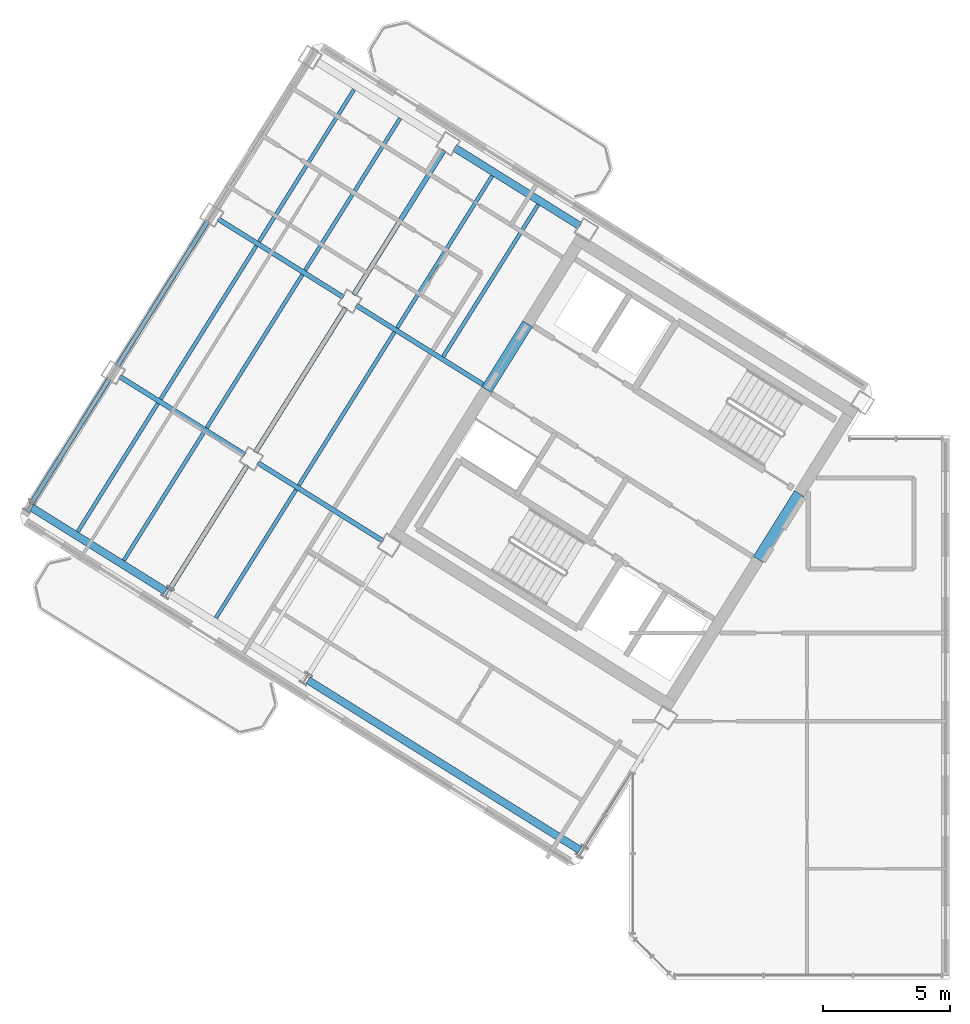
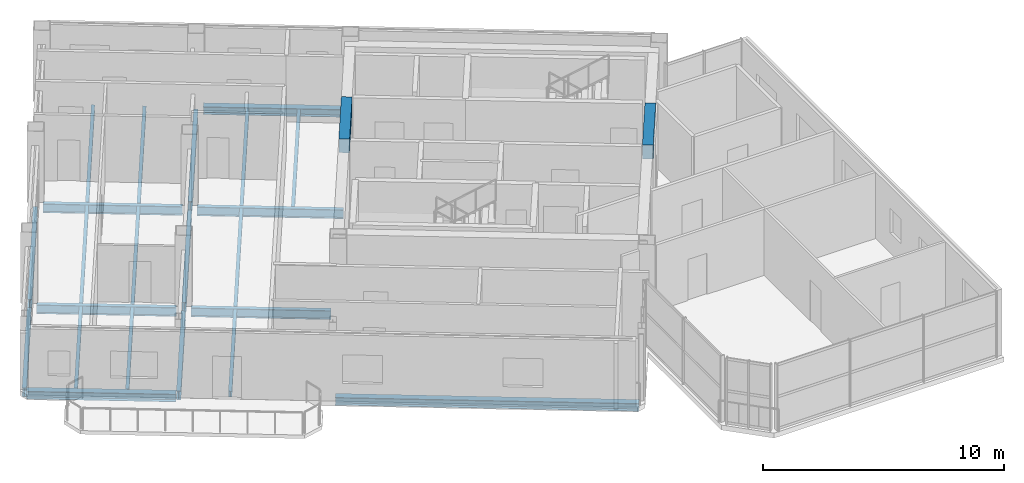
# One storey, part 3 of 14: 24 beams.
"""IFC4 building model written with IfcOpenShell, lengths in metres."""

from ifc_helpers import new_model, si_unit, direction, frame, origin, origin_2d, place, context, subcontext, project, spatial, rectangle, i_section, extrude, source, transform, mapped, material, material_profile, profile_set, type_object, element, save


model = new_model("IFC4")

# Units and contexts
model_context = context("Model", 3, precision=1e-05, world=origin(), true_north=direction((0.0, 1.0)))
body_context = subcontext(model_context, "Body", "Model", "MODEL_VIEW")
ifc_project = project(units=[si_unit("LENGTHUNIT", "METRE"), si_unit("AREAUNIT", "SQUARE_METRE"), si_unit("VOLUMEUNIT", "CUBIC_METRE"), si_unit("PLANEANGLEUNIT", "RADIAN"), si_unit("MASSUNIT", "GRAM", prefix="KILO")], contexts=[model_context])

# Site, building, storey
site_placement = place(None, origin())
site = spatial("IfcSite", under=ifc_project, at=site_placement, CompositionType="ELEMENT")
building_placement = place(site_placement, origin())
building = spatial("IfcBuilding", under=site, at=building_placement, Name="Tlacorven Tower", CompositionType="ELEMENT")
storey_placement = place(building_placement, frame((0.0, 0.0, 284.39990234375)))
storey = spatial("IfcBuildingStorey", under=building, at=storey_placement, Name="L72", CompositionType="ELEMENT", Elevation=284.39990234375)

# Beams
ifc_material_1 = material(Name="Concrete C60/75", Category="concrete")
ifc_material_profile_1 = material_profile(ifc_material_1, rectangle(XDim=0.449951171875, YDim=0.699951171875, at=origin_2d()), Name="RC 450X700")
ifc_profile_set_1 = profile_set([ifc_material_profile_1], Name="Concrete C60/75")
beam_type_1 = type_object("IfcBeamType", Name="BM-LNT-700", PredefinedType="LINTEL", material=ifc_profile_set_1)
shared_shape_1 = source(origin(), body_context, "Body", "SweptSolid", [
    extrude(rectangle(XDim=0.449951171875, YDim=0.699951171875, at=origin_2d()), origin(), (0.0, 0.0, 1.0), 3.050048828125),
])
beam_1_placement = place(storey_placement, frame((38.2998046875, 20.890625, 3.0), z_axis=(-0.529984549635, -0.848007297815, 0.0), x_axis=(0.848007297815, -0.529984549635, 0.0)))
element("IfcBeam", 1, at=beam_1_placement, inside=storey, type_object=beam_type_1, Name="L72 W core coupling lintel beam E1", PredefinedType="LINTEL", context=body_context, shape_type="MappedRepresentation", body=[
    mapped(shared_shape_1, transform((0.0, 0.0, 0.0), scale=1.0)),
])
shared_shape_2 = source(origin(), body_context, "Body", "SweptSolid", [
    extrude(rectangle(XDim=0.449951171875, YDim=0.699951171875, at=origin_2d()), origin(), (0.0, 0.0, 1.0), 3.0498046875),
])
beam_2_placement = place(storey_placement, frame((27.622802734375, 27.562255859375, 3.0), z_axis=(-0.529926983584, -0.848043272522, 0.0), x_axis=(0.848043272522, -0.529926983584, 0.0)))
element("IfcBeam", 2, at=beam_2_placement, inside=storey, type_object=beam_type_1, Name="L72 W core coupling lintel beam E2", PredefinedType="LINTEL", context=body_context, shape_type="MappedRepresentation", body=[
    mapped(shared_shape_2, transform((0.0, 0.0, 0.0), scale=1.0)),
])
ifc_material_2 = material(Name="Steel S355J2", Category="steel")
ifc_material_profile_2 = material_profile(ifc_material_2, i_section(OverallWidth=0.300048828125, OverallDepth=0.389892578125, WebThickness=0.010986328125, FlangeThickness=0.01904296875, at=origin_2d()), Name="HEA 400")
ifc_profile_set_2 = profile_set([ifc_material_profile_2], Name="Steel S355J2")
beam_type_2 = type_object("IfcBeamType", Name="BM-SPN-400", PredefinedType="SPANDREL", material=ifc_profile_set_2)
shared_shape_3 = source(origin(), body_context, "Body", "SweptSolid", [
    extrude(i_section(OverallWidth=0.300048828125, OverallDepth=0.389892578125, WebThickness=0.010986328125, FlangeThickness=0.01904296875, at=origin_2d()), origin(), (0.0, 0.0, 1.0), 12.599853515625),
])
beam_3_placement = place(storey_placement, frame((29.67578125, 6.882080078125, -0.44482421875), z_axis=(-0.848045108756, 0.529924045043, 0.0), x_axis=(-0.529924045043, -0.848045108756, 0.0)))
element("IfcBeam", 3, at=beam_3_placement, inside=storey, type_object=beam_type_2, Name="L72 beam BM-L72-WL4-1", PredefinedType="SPANDREL", context=body_context, shape_type="MappedRepresentation", body=[
    mapped(shared_shape_3, transform((0.0, 0.0, 0.0), scale=1.0)),
])
shared_shape_4 = source(origin(), body_context, "Body", "SweptSolid", [
    extrude(i_section(OverallWidth=0.300048828125, OverallDepth=0.389892578125, WebThickness=0.010986328125, FlangeThickness=0.01904296875, at=origin_2d()), origin(), (0.0, 0.0, 1.0), 6.199951171875),
])
beam_4_placement = place(storey_placement, frame((13.393310546875, 17.056396484375, -0.44482421875), z_axis=(-0.848033697614, 0.529942306022, 0.0), x_axis=(-0.529942306022, -0.848033697614, 0.0)))
element("IfcBeam", 4, at=beam_4_placement, inside=storey, type_object=beam_type_2, Name="L72 beam BM-L72-WL4-4", PredefinedType="SPANDREL", context=body_context, shape_type="MappedRepresentation", body=[
    mapped(shared_shape_4, transform((0.0, 0.0, 0.0), scale=1.0)),
])
shared_shape_5 = source(origin(), body_context, "Body", "SweptSolid", [
    extrude(i_section(OverallWidth=0.300048828125, OverallDepth=0.389892578125, WebThickness=0.010986328125, FlangeThickness=0.01904296875, at=origin_2d()), origin(), (0.0, 0.0, 1.0), 5.800048828125),
])
beam_5_placement = place(storey_placement, frame((29.673583984375, 31.410400390625, -0.44482421875), z_axis=(-0.848052689693, 0.529911912967, 0.0), x_axis=(-0.529911912967, -0.848052689693, 0.0)))
element("IfcBeam", 5, at=beam_5_placement, inside=storey, type_object=beam_type_2, Name="L72 beam BM-L72-WL1-3", PredefinedType="SPANDREL", context=body_context, shape_type="MappedRepresentation", body=[
    mapped(shared_shape_5, transform((0.0, 0.0, 0.0), scale=1.0)),
])
ifc_material_profile_3 = material_profile(ifc_material_2, i_section(OverallWidth=0.14990234375, OverallDepth=0.300048828125, WebThickness=0.007080078125, FlangeThickness=0.0107421875, at=origin_2d()), Name="IPE 300")
ifc_profile_set_3 = profile_set([ifc_material_profile_3], Name="Steel S355J2")
beam_type_3 = type_object("IfcBeamType", Name="BM-JST-300", PredefinedType="JOIST", material=ifc_profile_set_3)
shared_shape_6 = source(origin(), body_context, "Body", "SweptSolid", [
    extrude(i_section(OverallWidth=0.14990234375, OverallDepth=0.300048828125, WebThickness=0.007080078125, FlangeThickness=0.0107421875, at=origin_2d()), origin(), (0.0, 0.0, 1.0), 7.10009765625),
])
beam_6_placement = place(storey_placement, frame((22.38818359375, 27.23681640625, -0.39990234375), z_axis=(-0.529915484902, -0.848050457733, 0.0), x_axis=(0.848050457733, -0.529915484902, 0.0)))
element("IfcBeam", 6, at=beam_6_placement, inside=storey, type_object=beam_type_3, Name="L72 beam BM-L72-WJ3-2-2", PredefinedType="JOIST", context=body_context, shape_type="MappedRepresentation", body=[
    mapped(shared_shape_6, transform((0.0, 0.0, 0.0), scale=1.0)),
])
shared_shape_7 = source(origin(), body_context, "Body", "SweptSolid", [
    extrude(i_section(OverallWidth=0.14990234375, OverallDepth=0.300048828125, WebThickness=0.007080078125, FlangeThickness=0.0107421875, at=origin_2d()), origin(), (0.0, 0.0, 1.0), 7.099853515625),
])
for number, where, z_axis, x_axis, name in (
    (7, (18.769775390625, 29.497802734375, -0.39990234375), (-0.529890754507, -0.848065910344, 0.0), (0.848065910344, -0.529890754507, 0.0), "L72 beam BM-L72-WJ4-2-1"),
    (8, (16.960693359375, 30.628173828125, -0.39990234375), (-0.529930937954, -0.848040801494, 0.0), (0.848040801494, -0.529930937954, 0.0), "L72 beam BM-L72-WJ4-2-2"),
):
    element("IfcBeam", number, at=place(storey_placement, frame(where, z_axis=z_axis, x_axis=x_axis)), inside=storey, type_object=beam_type_3, Name=name, PredefinedType="JOIST", context=body_context, shape_type="MappedRepresentation", body=[
        mapped(shared_shape_7, transform((0.0, 0.0, 0.0), scale=1.0)),
    ])
shared_shape_8 = source(origin(), body_context, "Body", "SweptSolid", [
    extrude(i_section(OverallWidth=0.14990234375, OverallDepth=0.300048828125, WebThickness=0.007080078125, FlangeThickness=0.0107421875, at=origin_2d()), origin(), (0.0, 0.0, 1.0), 7.044921875),
])
for number, where, z_axis, x_axis, name in (
    (9, (28.03662109375, 32.25048828125, -0.39990234375), (-0.529899256491, -0.848060598053, 0.0), (0.848060598053, -0.529899256491, 0.0), "L72 beam BM-L72-WJ3-1-1"),
    (10, (26.2275390625, 33.380859375, -0.39990234375), (-0.529939753148, -0.848035292917, 0.0), (0.848035292917, -0.529939753148, 0.0), "L72 beam BM-L72-WJ3-1-2"),
    (11, (22.609130859375, 35.641845703125, -0.39990234375), (-0.52991483005, -0.848050866925, 0.0), (0.848050866925, -0.52991483005, 0.0), "L72 beam BM-L72-WJ4-1-1"),
):
    element("IfcBeam", number, at=place(storey_placement, frame(where, z_axis=z_axis, x_axis=x_axis)), inside=storey, type_object=beam_type_3, Name=name, PredefinedType="JOIST", context=body_context, shape_type="MappedRepresentation", body=[
        mapped(shared_shape_8, transform((0.0, 0.0, 0.0), scale=1.0)),
    ])
shared_shape_9 = source(origin(), body_context, "Body", "SweptSolid", [
    extrude(i_section(OverallWidth=0.14990234375, OverallDepth=0.300048828125, WebThickness=0.007080078125, FlangeThickness=0.0107421875, at=origin_2d()), origin(), (0.0, 0.0, 1.0), 5.945068359375),
])
for number, where, z_axis, x_axis, name in (
    (12, (18.519775390625, 21.046142578125, -0.39990234375), (-0.529914037113, -0.848051362401, 0.0), (0.848051362401, -0.529914037113, 0.0), "L72 beam BM-L72-WJ3-3-2"),
    (13, (14.9013671875, 23.30712890625, -0.39990234375), (-0.529884501938, -0.848069817059, 0.0), (0.848069817059, -0.529884501938, 0.0), "L72 beam BM-L72-WJ4-3-1"),
):
    element("IfcBeam", number, at=place(storey_placement, frame(where, z_axis=z_axis, x_axis=x_axis)), inside=storey, type_object=beam_type_3, Name=name, PredefinedType="JOIST", context=body_context, shape_type="MappedRepresentation", body=[
        mapped(shared_shape_9, transform((0.0, 0.0, 0.0), scale=1.0)),
    ])
shared_shape_10 = source(origin(), body_context, "Body", "SweptSolid", [
    extrude(i_section(OverallWidth=0.14990234375, OverallDepth=0.300048828125, WebThickness=0.007080078125, FlangeThickness=0.0107421875, at=origin_2d()), origin(), (0.0, 0.0, 1.0), 7.045166015625),
])
beam_7_placement = place(storey_placement, frame((20.800048828125, 36.7724609375, -0.39990234375), z_axis=(-0.529924179428, -0.848045024782, 0.0), x_axis=(0.848045024782, -0.529924179428, 0.0)))
element("IfcBeam", 14, at=beam_7_placement, inside=storey, type_object=beam_type_3, Name="L72 beam BM-L72-WJ4-1-2", PredefinedType="JOIST", context=body_context, shape_type="MappedRepresentation", body=[
    mapped(shared_shape_10, transform((0.0, 0.0, 0.0), scale=1.0)),
])
shared_shape_11 = source(origin(), body_context, "Body", "SweptSolid", [
    extrude(i_section(OverallWidth=0.14990234375, OverallDepth=0.300048828125, WebThickness=0.007080078125, FlangeThickness=0.0107421875, at=origin_2d()), origin(), (0.0, 0.0, 1.0), 5.94482421875),
])
beam_8_placement = place(storey_placement, frame((13.09228515625, 24.4375, -0.39990234375), z_axis=(-0.529932492401, -0.848039830136, 0.0), x_axis=(0.848039830136, -0.529932492401, 0.0)))
element("IfcBeam", 15, at=beam_8_placement, inside=storey, type_object=beam_type_3, Name="L72 beam BM-L72-WJ4-3-2", PredefinedType="JOIST", context=body_context, shape_type="MappedRepresentation", body=[
    mapped(shared_shape_11, transform((0.0, 0.0, 0.0), scale=1.0)),
])
ifc_material_profile_4 = material_profile(ifc_material_2, i_section(OverallWidth=0.18994140625, OverallDepth=0.449951171875, WebThickness=0.009521484375, FlangeThickness=0.0146484375, at=origin_2d()), Name="IPE 450")
ifc_profile_set_4 = profile_set([ifc_material_profile_4], Name="Steel S355J2")
beam_type_4 = type_object("IfcBeamType", Name="BM-TWR-450", PredefinedType="BEAM", material=ifc_profile_set_4)
shared_shape_12 = source(origin(), body_context, "Body", "SweptSolid", [
    extrude(i_section(OverallWidth=0.18994140625, OverallDepth=0.449951171875, WebThickness=0.009521484375, FlangeThickness=0.0146484375, at=origin_2d()), origin(), (0.0, 0.0, 1.0), 6.06005859375),
])
beam_9_placement = place(storey_placement, frame((26.025634765625, 25.081787109375, -0.474853515625), z_axis=(-0.848039041052, 0.529933755154, 0.0), x_axis=(-0.529933755154, -0.848039041052, 0.0)))
element("IfcBeam", 16, at=beam_9_placement, inside=storey, type_object=beam_type_4, Name="L72 beam BM-L72-WL2-3", PredefinedType="BEAM", context=body_context, shape_type="MappedRepresentation", body=[
    mapped(shared_shape_12, transform((0.0, 0.0, 0.0), scale=1.0)),
])
shared_shape_13 = source(origin(), body_context, "Body", "SweptSolid", [
    extrude(i_section(OverallWidth=0.18994140625, OverallDepth=0.449951171875, WebThickness=0.009521484375, FlangeThickness=0.0146484375, at=origin_2d()), origin(), (0.0, 0.0, 1.0), 5.800048828125),
])
for number, where, z_axis, x_axis, name in (
    (17, (20.377685546875, 28.611083984375, -0.474853515625), (-0.848052689693, 0.529911912967, 0.0), (-0.529911912967, -0.848052689693, 0.0), "L72 beam BM-L72-WL2-4"),
    (18, (21.936767578125, 19.02880859375, -0.474853515625), (-0.848052689693, 0.529911912967, 0.0), (-0.529911912967, -0.848052689693, 0.0), "L72 beam BM-L72-WL3-3"),
    (19, (16.50927734375, 22.42041015625, -0.474853515625), (-0.848052689693, 0.529911912967, 0.0), (-0.529911912967, -0.848052689693, 0.0), "L72 beam BM-L72-WL3-4"),
    (20, (16.604736328125, 22.0068359375, -0.474853515625), (-0.52994218514, -0.848033773154, 0.0), (0.848033773154, -0.52994218514, 0.0), "L72 beam BM-L72-WT4-3"),
    (21, (11.17724609375, 25.3984375, -0.474853515625), (-0.52994218514, -0.848033773154, 0.0), (0.848033773154, -0.52994218514, 0.0), "L72 beam BM-L72-WT5-3"),
):
    element("IfcBeam", number, at=place(storey_placement, frame(where, z_axis=z_axis, x_axis=x_axis)), inside=storey, type_object=beam_type_4, Name=name, PredefinedType="BEAM", context=body_context, shape_type="MappedRepresentation", body=[
        mapped(shared_shape_13, transform((0.0, 0.0, 0.0), scale=1.0)),
    ])
shared_shape_14 = source(origin(), body_context, "Body", "SweptSolid", [
    extrude(i_section(OverallWidth=0.18994140625, OverallDepth=0.449951171875, WebThickness=0.009521484375, FlangeThickness=0.0146484375, at=origin_2d()), origin(), (0.0, 0.0, 1.0), 6.699951171875),
])
for number, where, z_axis, x_axis, name in (
    (22, (24.341552734375, 34.388427734375, -0.474853515625), (-0.529930154818, -0.848041290867, 0.0), (0.848041290867, -0.529930154818, 0.0), "L72 beam BM-L72-WT4-1"),
    (23, (20.47314453125, 28.19775390625, -0.474853515625), (-0.529930154818, -0.848041290867, 0.0), (0.848041290867, -0.529930154818, 0.0), "L72 beam BM-L72-WT4-2"),
    (24, (15.045654296875, 31.589111328125, -0.474853515625), (-0.529930154818, -0.848041290867, 0.0), (0.848041290867, -0.529930154818, 0.0), "L72 beam BM-L72-WT5-2"),
):
    element("IfcBeam", number, at=place(storey_placement, frame(where, z_axis=z_axis, x_axis=x_axis)), inside=storey, type_object=beam_type_4, Name=name, PredefinedType="BEAM", context=body_context, shape_type="MappedRepresentation", body=[
        mapped(shared_shape_14, transform((0.0, 0.0, 0.0), scale=1.0)),
    ])

save(model, "model.ifc")
